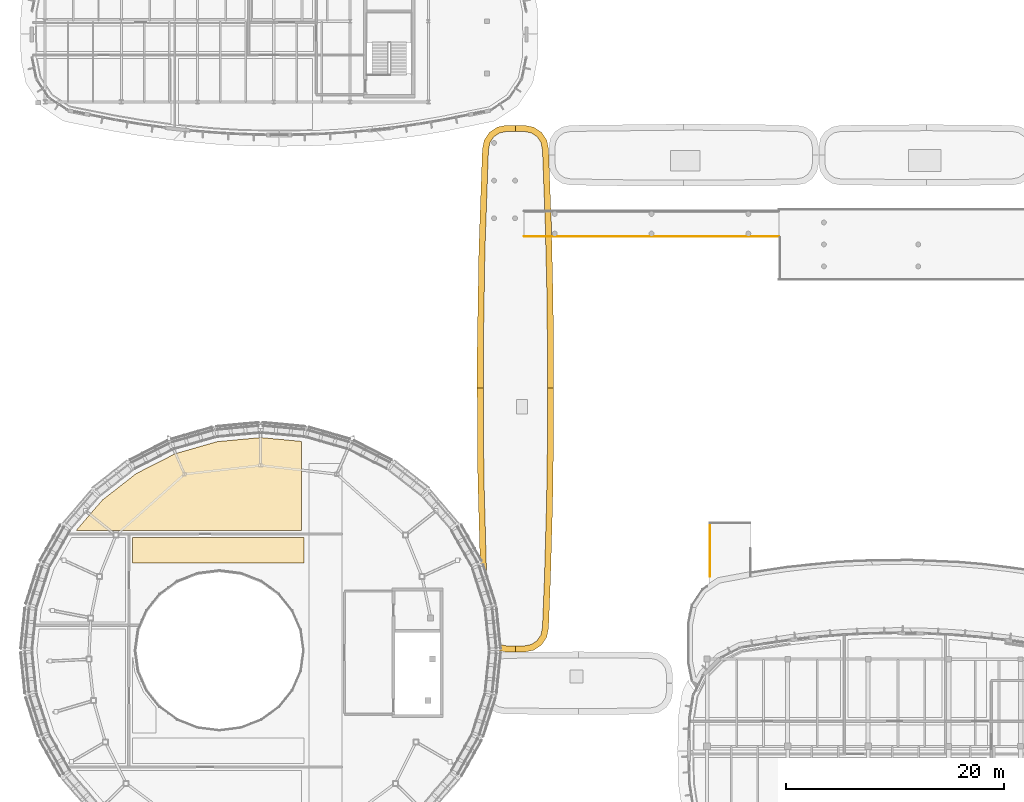
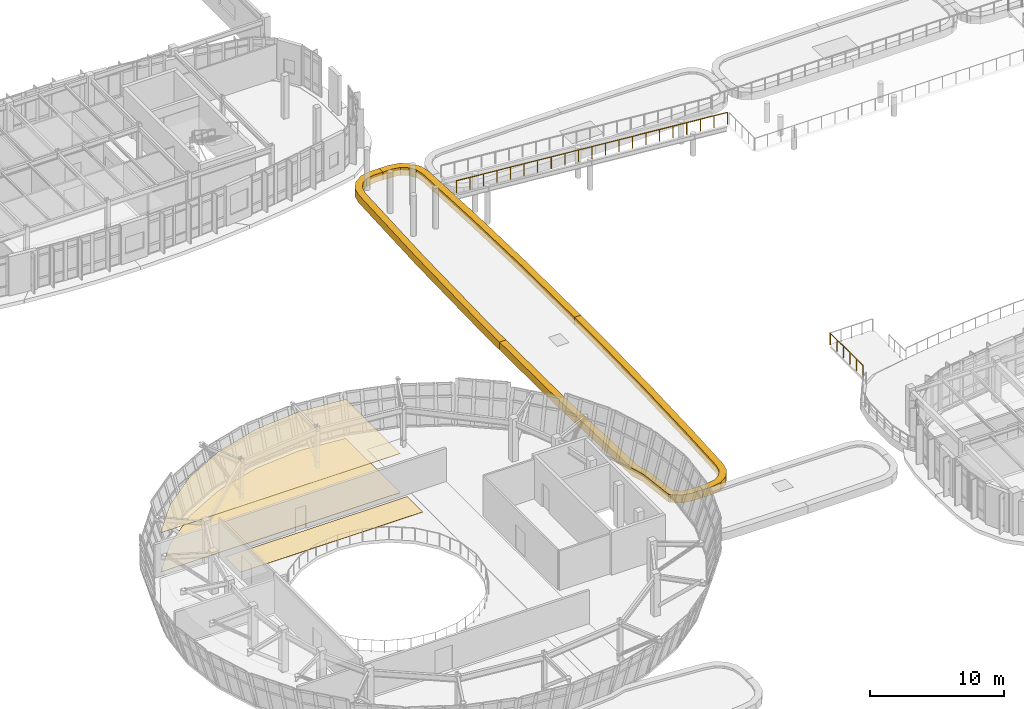
# One storey, part 99 of 111: 7 coverings, 2 railings.
"""IFC4 building model written with IfcOpenShell, lengths in metres."""

from ifc_helpers import new_model, si_unit, direction, frame, origin, origin_2d, place, context, subcontext, project, spatial, polyline, circle, outline, extrude, material, layer, layer_set, type_object, element, save


model = new_model("IFC4")

# Units and contexts
model_context = context("Model", 3, precision=1e-05, world=origin(), true_north=direction((0.0, 1.0)))
body_context = subcontext(model_context, "Body", "Model", "MODEL_VIEW")
ifc_project = project(units=[si_unit("LENGTHUNIT", "METRE"), si_unit("AREAUNIT", "SQUARE_METRE"), si_unit("VOLUMEUNIT", "CUBIC_METRE"), si_unit("PLANEANGLEUNIT", "RADIAN"), si_unit("MASSUNIT", "GRAM", prefix="KILO")], contexts=[model_context])

# Site, building, storey
site_placement = place(None, origin())
site = spatial("IfcSite", under=ifc_project, at=site_placement, CompositionType="ELEMENT")
building_placement = place(site_placement, origin())
building = spatial("IfcBuilding", under=site, at=building_placement, Name="Corveleigh Park Community Centre", CompositionType="ELEMENT")
storey_placement = place(building_placement, frame((0.0, 0.0, 4.800048828125)))
storey = spatial("IfcBuildingStorey", under=building, at=storey_placement, Name="L01", CompositionType="ELEMENT", Elevation=4.800048828125)

# Coverings
ifc_material_1 = material(Name="White architectural fascia cladding", Category="masonry")
ifc_layer_1 = layer(ifc_material_1, 0.074951171875, Name="White architectural fascia cladding", Category="masonry")
ifc_layer_set_1 = layer_set([ifc_layer_1], Name="White architectural fascia cladding")
covering_type_1 = type_object("IfcCoveringType", Name="COV-CLD-WHT", PredefinedType="CLADDING", material=ifc_layer_set_1)
covering_1_placement = place(storey_placement, frame((0.0, 0.0, -0.52001953125)))
element("IfcCovering", 1, at=covering_1_placement, inside=storey, type_object=covering_type_1, Name="Covered Passage West Canopy White Fascia 1", PredefinedType="CLADDING", context=body_context, shape_type="SweptSolid", body=[
    extrude(outline(polyline([(55.239990234375, 75.840087890625), (56.08203125, 75.673095703125), (56.794921875, 75.195068359375), (57.27294921875, 74.48193359375), (57.43994140625, 73.64111328125), (57.698974609375, 66.698974609375), (57.862060546875, 59.7548828125), (57.916015625, 51.73095703125), (57.35595703125, 51.73095703125), (57.302001953125, 59.7451171875), (57.138916015625, 66.681884765625), (56.882080078125, 73.5791015625), (56.74609375, 74.263916015625), (56.39208984375, 74.7919921875), (55.864013671875, 75.14599609375), (55.18896484375, 75.280029296875), (54.425048828125, 75.280029296875), (54.425048828125, 75.840087890625), (55.239990234375, 75.840087890625)])), origin(), (0.0, 0.0, 1.0), 0.719970703125),
])
covering_2_placement = place(storey_placement, frame((0.0, 0.0, -0.52001953125)))
element("IfcCovering", 2, at=covering_2_placement, inside=storey, type_object=covering_type_1, Name="Covered Passage West Canopy White Fascia 2", PredefinedType="CLADDING", context=body_context, shape_type="SweptSolid", body=[
    extrude(outline(polyline([(50.884033203125, 55.123046875), (51.035888671875, 64.385009765625), (51.361083984375, 73.64794921875), (51.527099609375, 74.48193359375), (52.010986328125, 75.199951171875), (52.72509765625, 75.675048828125), (53.552001953125, 75.839111328125), (54.40087890625, 75.840087890625), (54.402099609375, 75.280029296875), (53.611083984375, 75.280029296875), (52.93603515625, 75.14599609375), (52.407958984375, 74.7919921875), (52.053955078125, 74.263916015625), (51.91796875, 73.580078125), (51.595947265625, 64.37109375), (51.444091796875, 55.118896484375), (51.444091796875, 51.73095703125), (50.884033203125, 51.73095703125), (50.884033203125, 55.123046875)])), origin(), (0.0, 0.0, 1.0), 0.719970703125),
])
covering_3_placement = place(storey_placement, frame((0.0, 0.0, -0.52001953125)))
element("IfcCovering", 3, at=covering_3_placement, inside=storey, type_object=covering_type_1, Name="Covered Passage West Canopy White Fascia 3", PredefinedType="CLADDING", context=body_context, shape_type="SweptSolid", body=[
    extrude(outline(polyline([(50.93798828125, 43.544921875), (50.884033203125, 51.72802734375), (51.444091796875, 51.72802734375), (51.498046875, 43.555908203125), (51.800048828125, 32.6259765625), (52.1279296875, 31.55908203125), (52.447021484375, 28.48193359375), (52.93603515625, 28.154052734375), (53.611083984375, 28.02001953125), (54.402099609375, 28.01904296875), (54.40087890625, 27.458984375), (53.552001953125, 27.4609375), (52.718017578125, 27.626953125), (52.010986328125, 28.10009765625), (51.906982421875, 28.258056640625), (51.572021484375, 31.4970703125), (51.241943359375, 32.537109375), (50.93798828125, 43.544921875)])), origin(), (0.0, 0.0, 1.0), 0.719970703125),
])
covering_4_placement = place(storey_placement, frame((0.0, 0.0, -0.52001953125)))
element("IfcCovering", 4, at=covering_4_placement, inside=storey, type_object=covering_type_1, Name="Covered Passage West Canopy White Fascia 4", PredefinedType="CLADDING", context=body_context, shape_type="SweptSolid", body=[
    extrude(outline(polyline([(57.916015625, 48.177001953125), (57.818115234375, 41.22998046875), (57.6240234375, 34.285888671875), (57.43896484375, 29.652099609375), (57.27294921875, 28.818115234375), (56.7890625, 28.10009765625), (56.074951171875, 27.625), (55.248046875, 27.4609375), (54.426025390625, 27.458984375), (54.425048828125, 28.01904296875), (55.18798828125, 28.02001953125), (55.864013671875, 28.154052734375), (56.39208984375, 28.508056640625), (56.74609375, 29.035888671875), (56.882080078125, 29.720947265625), (57.06396484375, 34.304931640625), (57.258056640625, 41.241943359375), (57.35595703125, 48.180908203125), (57.35595703125, 51.72802734375), (57.916015625, 51.72802734375), (57.916015625, 48.177001953125)])), origin(), (0.0, 0.0, 1.0), 0.719970703125),
])
ifc_material_2 = material(Name="Perforated acoustic suspended ceiling", Category="gypsum")
ifc_layer_2 = layer(ifc_material_2, 0.0400390625, Name="Perforated acoustic suspended ceiling", Category="gypsum")
ifc_layer_set_2 = layer_set([ifc_layer_2], Name="Perforated acoustic suspended ceiling")
covering_type_2 = type_object("IfcCoveringType", Name="COV-CLG-ACU", PredefinedType="CEILING", material=ifc_layer_set_2)
covering_5_placement = place(storey_placement, frame((0.0, 0.0, 3.579833984375)))
element("IfcCovering", 5, at=covering_5_placement, inside=storey, type_object=covering_type_2, Name="Choir and Organ Gallery acoustic ceiling", PredefinedType="CEILING", context=body_context, shape_type="SweptSolid", body=[
    extrude(outline(polyline([(31.0, 47.157958984375), (34.760009765625, 46.805908203125), (34.760009765625, 38.639892578125), (14.05908203125, 38.639892578125), (16.4560546875, 41.422119140625), (19.571044921875, 43.85595703125), (23.1259765625, 45.6669921875), (26.985107421875, 46.781982421875), (31.0, 47.157958984375)])), origin(), (0.0, 0.0, 1.0), 0.0400390625),
])
ifc_material_3 = material(Name="Acoustic linoleum flooring", Category="wood")
ifc_layer_3 = layer(ifc_material_3, 0.02490234375, Name="Acoustic linoleum flooring", Category="wood")
ifc_layer_set_3 = layer_set([ifc_layer_3], Name="Acoustic linoleum flooring")
covering_type_3 = type_object("IfcCoveringType", Name="COV-FLR-LIN", PredefinedType="FLOORING", material=ifc_layer_set_3)
covering_6_placement = place(storey_placement, origin())
element("IfcCovering", 6, at=covering_6_placement, inside=storey, type_object=covering_type_3, Name="Sanctuary North Gallery Concourse flooring", PredefinedType="FLOORING", context=body_context, shape_type="SweptSolid", body=[
    extrude(outline(polyline([(34.9599609375, 35.639892578125), (19.239990234375, 35.639892578125), (19.239990234375, 37.9599609375), (34.9599609375, 37.9599609375), (34.9599609375, 35.639892578125)])), origin(), (0.0, 0.0, 1.0), 0.02490234375),
])
ifc_material_4 = material(Name="Sprung hardwood sports flooring", Category="wood")
ifc_layer_4 = layer(ifc_material_4, 0.044921875, Name="Sprung hardwood sports flooring", Category="wood")
ifc_layer_set_4 = layer_set([ifc_layer_4], Name="Sprung hardwood sports flooring")
covering_type_4 = type_object("IfcCoveringType", Name="COV-FLR-SPR", PredefinedType="FLOORING", material=ifc_layer_set_4)
covering_7_placement = place(storey_placement, origin())
element("IfcCovering", 7, at=covering_7_placement, inside=storey, type_object=covering_type_4, Name="Choir and Organ Gallery flooring", PredefinedType="FLOORING", context=body_context, shape_type="SweptSolid", body=[
    extrude(outline(polyline([(31.0, 47.157958984375), (34.760009765625, 46.805908203125), (34.760009765625, 38.639892578125), (14.05908203125, 38.639892578125), (16.4560546875, 41.422119140625), (19.571044921875, 43.85595703125), (23.1259765625, 45.6669921875), (26.985107421875, 46.781982421875), (31.0, 47.157958984375)])), origin(), (0.0, 0.0, 1.0), 0.044921875),
])

# Railings
ifc_material_5 = material(Name="Stainless steel 316 balustrade", Category="steel")
railing_type = type_object("IfcRailingType", Name="RLG-BAL-EXT-1100", PredefinedType="BALUSTRADE", material=ifc_material_5)
railing_1_placement = place(storey_placement, frame((72.280029296875, 34.39990234375, 0.0)))
element("IfcRailing", 8, at=railing_1_placement, inside=storey, type_object=railing_type, Name="Promenade Landing Guard RLG-PRMLND4-W", PredefinedType="BALUSTRADE", context=body_context, shape_type="SweptSolid", body=[
    extrude(circle(Radius=0.02392578125, at=origin_2d()), frame((0.0, 0.0, 1.076171875), z_axis=(0.0, 1.0, 0.0), x_axis=(-1.0, 0.0, 0.0)), (0.0, 0.0, 1.0), 4.920166015625),
    extrude(circle(Radius=0.02099609375, at=origin_2d()), origin(), (0.0, 0.0, 1.0), 1.052001953125),
    extrude(circle(Radius=0.02099609375, at=origin_2d()), frame((0.0, 0.984130859375, 0.0)), (0.0, 0.0, 1.0), 1.052001953125),
    extrude(circle(Radius=0.02099609375, at=origin_2d()), frame((0.0, 1.968017578125, 0.0)), (0.0, 0.0, 1.0), 1.052001953125),
    extrude(circle(Radius=0.02099609375, at=origin_2d()), frame((0.0, 2.9521484375, 0.0)), (0.0, 0.0, 1.0), 1.052001953125),
    extrude(circle(Radius=0.02099609375, at=origin_2d()), frame((0.0, 3.93603515625, 0.0)), (0.0, 0.0, 1.0), 1.052001953125),
    extrude(circle(Radius=0.02099609375, at=origin_2d()), frame((0.0, 4.920166015625, 0.0)), (0.0, 0.0, 1.0), 1.052001953125),
])
railing_2_placement = place(storey_placement, frame((78.60009765625, 65.64990234375, 1.949951171875)))
element("IfcRailing", 9, at=railing_2_placement, inside=storey, type_object=railing_type, Name="Courtyard West Roof Promenade Ramp Upper Guard L", PredefinedType="BALUSTRADE", context=body_context, shape_type="SweptSolid", body=[
    extrude(circle(Radius=0.02392578125, at=origin_2d()), frame((0.0, 0.0, 1.076171875), z_axis=(-0.996545973357, 0.0, 0.083042898465), x_axis=(0.0, -1.0, 0.0)), (0.0, 0.0, 1.0), 23.481201171875),
    extrude(circle(Radius=0.02099609375, at=origin_2d()), origin(), (0.0, 0.0, 1.0), 1.052001953125),
    extrude(circle(Radius=0.02099609375, at=origin_2d()), frame((-1.169921875, 0.0, 0.097412109375)), (0.0, 0.0, 1.0), 1.052001953125),
    extrude(circle(Radius=0.02099609375, at=origin_2d()), frame((-2.340087890625, 0.0, 0.195068359375)), (0.0, 0.0, 1.0), 1.052001953125),
    extrude(circle(Radius=0.02099609375, at=origin_2d()), frame((-3.510009765625, 0.0, 0.29248046875)), (0.0, 0.0, 1.0), 1.052001953125),
    extrude(circle(Radius=0.02099609375, at=origin_2d()), frame((-4.679931640625, 0.0, 0.389892578125)), (0.0, 0.0, 1.0), 1.052001953125),
    extrude(circle(Radius=0.02099609375, at=origin_2d()), frame((-5.85009765625, 0.0, 0.487548828125)), (0.0, 0.0, 1.0), 1.052001953125),
    extrude(circle(Radius=0.02099609375, at=origin_2d()), frame((-7.02001953125, 0.0, 0.5849609375)), (0.0, 0.0, 1.0), 1.052001953125),
    extrude(circle(Radius=0.02099609375, at=origin_2d()), frame((-8.18994140625, 0.0, 0.682373046875)), (0.0, 0.0, 1.0), 1.052001953125),
    extrude(circle(Radius=0.02099609375, at=origin_2d()), frame((-9.360107421875, 0.0, 0.780029296875)), (0.0, 0.0, 1.0), 1.052001953125),
    extrude(circle(Radius=0.02099609375, at=origin_2d()), frame((-10.530029296875, 0.0, 0.87744140625)), (0.0, 0.0, 1.0), 1.052001953125),
    extrude(circle(Radius=0.02099609375, at=origin_2d()), frame((-11.7001953125, 0.0, 0.97509765625)), (0.0, 0.0, 1.0), 1.052001953125),
    extrude(circle(Radius=0.02099609375, at=origin_2d()), frame((-12.8701171875, 0.0, 1.072509765625)), (0.0, 0.0, 1.0), 1.052001953125),
    extrude(circle(Radius=0.02099609375, at=origin_2d()), frame((-14.0400390625, 0.0, 1.169921875)), (0.0, 0.0, 1.0), 1.052001953125),
    extrude(circle(Radius=0.02099609375, at=origin_2d()), frame((-15.210205078125, 0.0, 1.267578125)), (0.0, 0.0, 1.0), 1.052001953125),
    extrude(circle(Radius=0.02099609375, at=origin_2d()), frame((-16.380126953125, 0.0, 1.364990234375)), (0.0, 0.0, 1.0), 1.052001953125),
    extrude(circle(Radius=0.02099609375, at=origin_2d()), frame((-17.550048828125, 0.0, 1.46240234375)), (0.0, 0.0, 1.0), 1.052001953125),
    extrude(circle(Radius=0.02099609375, at=origin_2d()), frame((-18.72021484375, 0.0, 1.56005859375)), (0.0, 0.0, 1.0), 1.052001953125),
    extrude(circle(Radius=0.02099609375, at=origin_2d()), frame((-19.89013671875, 0.0, 1.657470703125)), (0.0, 0.0, 1.0), 1.052001953125),
    extrude(circle(Radius=0.02099609375, at=origin_2d()), frame((-21.06005859375, 0.0, 1.7548828125)), (0.0, 0.0, 1.0), 1.052001953125),
    extrude(circle(Radius=0.02099609375, at=origin_2d()), frame((-22.230224609375, 0.0, 1.8525390625)), (0.0, 0.0, 1.0), 1.052001953125),
    extrude(circle(Radius=0.02099609375, at=origin_2d()), frame((-23.400146484375, 0.0, 1.949951171875)), (0.0, 0.0, 1.0), 1.052001953125),
])

save(model, "model.ifc")
